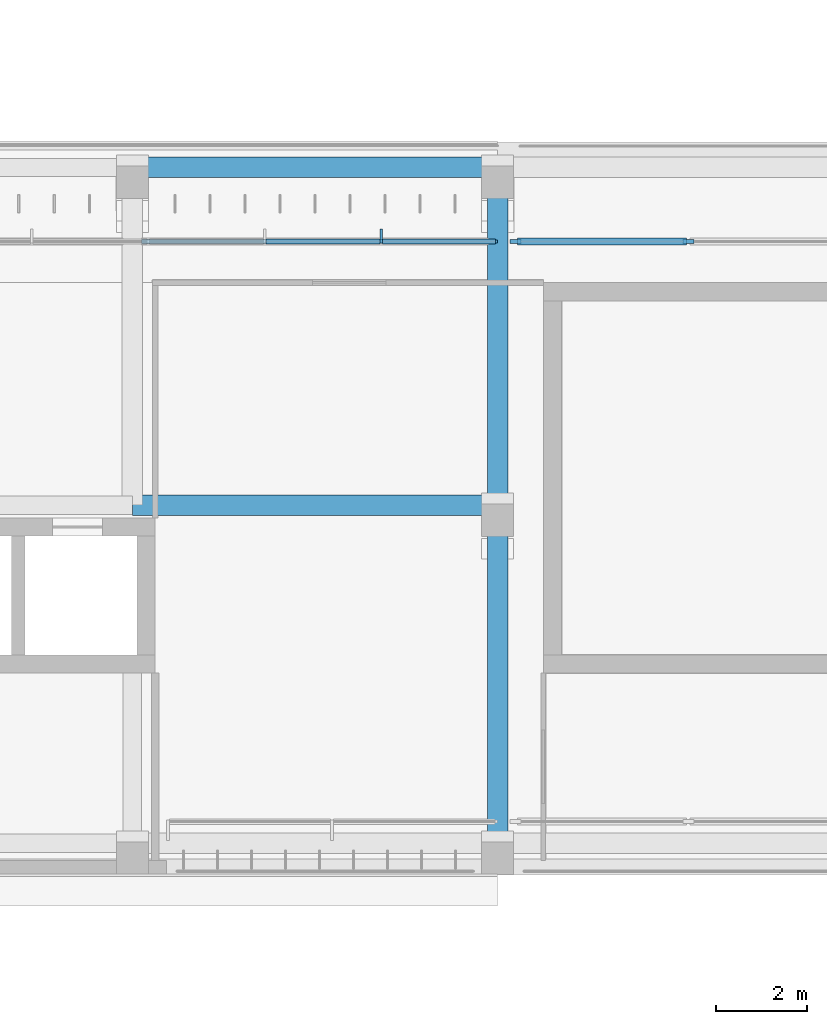
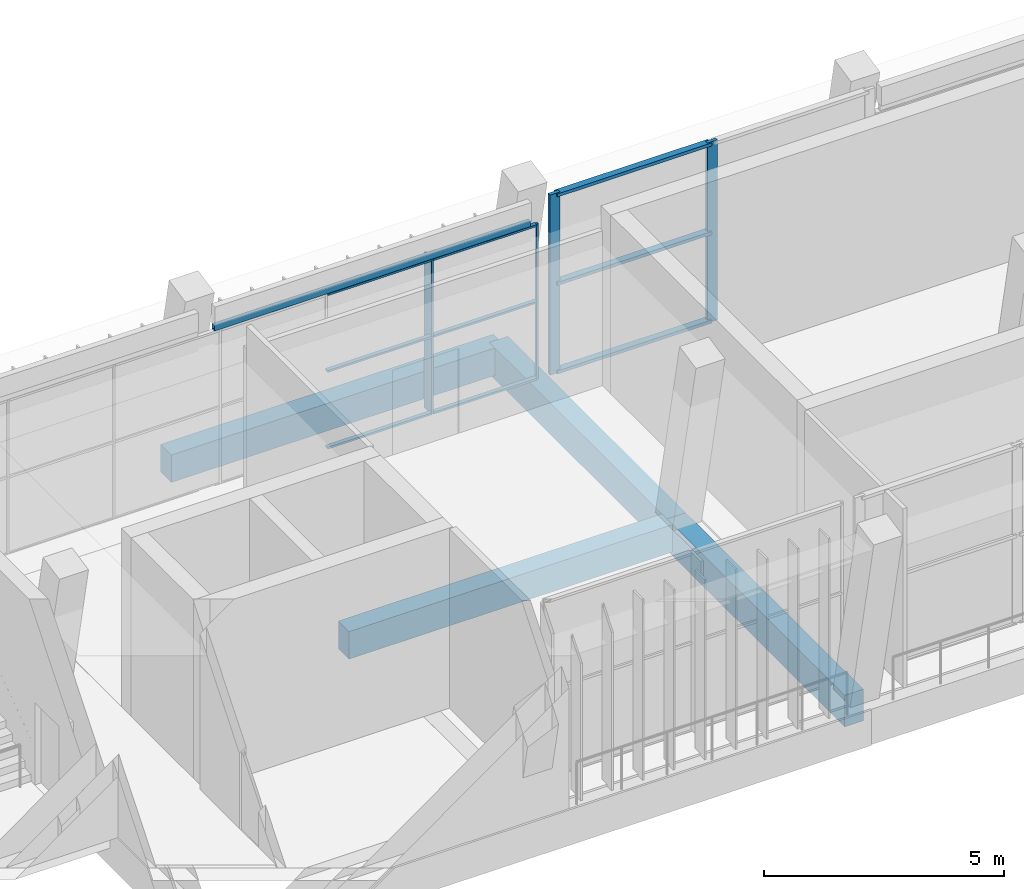
# One storey, part 8 of 74: 13 members, 5 beams, 2 elements without a shape of their own.
"""IFC4 building model written with IfcOpenShell, lengths in metres."""

from ifc_helpers import new_model, si_unit, direction, frame, origin, origin_2d, place, context, subcontext, project, spatial, rectangle, hollow_rectangle, extrude, material, material_profile, profile_set, type_object, element, aggregate, save


model = new_model("IFC4")

# Units and contexts
model_context = context("Model", 3, precision=1e-05, world=origin(), true_north=direction((0.0, 1.0)))
body_context = subcontext(model_context, "Body", "Model", "MODEL_VIEW")
ifc_project = project(units=[si_unit("LENGTHUNIT", "METRE"), si_unit("AREAUNIT", "SQUARE_METRE"), si_unit("VOLUMEUNIT", "CUBIC_METRE"), si_unit("PLANEANGLEUNIT", "RADIAN"), si_unit("MASSUNIT", "GRAM", prefix="KILO")], contexts=[model_context])

# Site, building, storey
site_placement = place(None, origin())
site = spatial("IfcSite", under=ifc_project, at=site_placement, CompositionType="ELEMENT")
building_placement = place(site_placement, origin())
building = spatial("IfcBuilding", under=site, at=building_placement, Name="Lantern Court Media Centre", CompositionType="ELEMENT")
storey_placement = place(building_placement, frame((0.0, 0.0, 19.199951171875)))
storey = spatial("IfcBuildingStorey", under=building, at=storey_placement, Name="L04", CompositionType="ELEMENT", Elevation=19.199951171875)

# Curtain wall, members
ifc_material_1 = material(Name="Curtain wall bay 2400")
curtain_wall_type_1 = type_object("IfcCurtainWallType", Name="Curtain wall bay 2400", PredefinedType="NOTDEFINED", material=ifc_material_1)
curtain_wall_1_placement = place(storey_placement, origin())
curtain_wall_1 = element("IfcCurtainWall", 1, at=curtain_wall_1_placement, inside=storey, type_object=curtain_wall_type_1, Name="Curtain wall S inner L04", PredefinedType="NOTDEFINED")
ifc_material_2 = material(Name="Anodised aluminium", Category="aluminium")
ifc_material_profile_1 = material_profile(ifc_material_2, rectangle(XDim=0.300048828125, YDim=0.050048828125, at=origin_2d()), Name="AL 50x300")
ifc_profile_set_1 = profile_set([ifc_material_profile_1], Name="Anodised aluminium")
member_type_1 = type_object("IfcMemberType", Name="Curtain wall mullion 50x300", PredefinedType="MULLION", material=ifc_profile_set_1)
member_1_placement = place(storey_placement, frame((37.449951171875, 57.969970703125, 0.0), z_axis=(0.0, 0.0, 1.0), x_axis=(0.0, 1.0, 0.0)))
member_1 = element("IfcMember", 2, at=member_1_placement, type_object=member_type_1, Name="CW2 mullion 6", PredefinedType="MULLION", context=body_context, shape_type="SweptSolid", body=[
    extrude(rectangle(XDim=0.300048828125, YDim=0.050048828125, at=origin_2d()), origin(), (0.0, 0.0, 1.0), 3.949951171875),
])
ifc_material_profile_2 = material_profile(ifc_material_2, rectangle(XDim=0.06005859375, YDim=0.050048828125, at=origin_2d()), Name="AL 50x60")
ifc_profile_set_2 = profile_set([ifc_material_profile_2], Name="Anodised aluminium")
member_type_2 = type_object("IfcMemberType", Name="Curtain wall mullion 50x60", PredefinedType="MULLION", material=ifc_profile_set_2)
member_2_placement = place(storey_placement, frame((39.97509765625, 57.85009765625, 0.0), z_axis=(0.0, 0.0, 1.0), x_axis=(0.0, 1.0, 0.0)))
member_2 = element("IfcMember", 3, at=member_2_placement, type_object=member_type_2, Name="CW2 mullion 7", PredefinedType="MULLION", context=body_context, shape_type="SweptSolid", body=[
    extrude(rectangle(XDim=0.06005859375, YDim=0.050048828125, at=origin_2d()), origin(), (0.0, 0.0, 1.0), 3.949951171875),
])

ifc_material_3 = material(Name="Curtain wall bay 4000")
curtain_wall_type_2 = type_object("IfcCurtainWallType", Name="Curtain wall bay 4000", PredefinedType="NOTDEFINED", material=ifc_material_3)
curtain_wall_2_placement = place(storey_placement, origin())
curtain_wall_2 = element("IfcCurtainWall", 4, at=curtain_wall_2_placement, inside=storey, type_object=curtain_wall_type_2, Name="Curtain wall S inner L04", PredefinedType="NOTDEFINED")
ifc_material_profile_3 = material_profile(ifc_material_2, rectangle(XDim=0.080078125, YDim=0.239990234375, at=origin_2d()), Name="AL 80x240")
ifc_profile_set_3 = profile_set([ifc_material_profile_3], Name="Anodised aluminium")
member_type_3 = type_object("IfcMemberType", Name="Curtain wall mullion 80x240", PredefinedType="MULLION", material=ifc_profile_set_3)
member_3_placement = place(storey_placement, frame((40.389892578125, 57.85009765625, 0.0), z_axis=(0.0, 0.0, 1.0), x_axis=(0.0, 1.0, 0.0)))
member_3 = element("IfcMember", 5, at=member_3_placement, type_object=member_type_3, Name="CW3 mullion 1", PredefinedType="MULLION", context=body_context, shape_type="SweptSolid", body=[
    extrude(rectangle(XDim=0.080078125, YDim=0.239990234375, at=origin_2d()), origin(), (0.0, 0.0, 1.0), 4.580078125),
])
member_4_placement = place(storey_placement, frame((44.175048828125, 57.85009765625, 0.0), z_axis=(0.0, 0.0, 1.0), x_axis=(0.0, 1.0, 0.0)))
member_4 = element("IfcMember", 6, at=member_4_placement, type_object=member_type_3, Name="CW3 mullion 2", PredefinedType="MULLION", context=body_context, shape_type="SweptSolid", body=[
    extrude(rectangle(XDim=0.080078125, YDim=0.239990234375, at=origin_2d()), origin(), (0.0, 0.0, 1.0), 4.580078125),
])

# Member
ifc_material_profile_4 = material_profile(ifc_material_2, rectangle(XDim=0.10009765625, YDim=0.050048828125, at=origin_2d()), Name="AL 50x100")
ifc_profile_set_4 = profile_set([ifc_material_profile_4], Name="Anodised aluminium")
member_type_4 = type_object("IfcMemberType", Name="Curtain wall transom 100x50", PredefinedType="USERDEFINED", material=ifc_profile_set_4)
member_5_placement = place(storey_placement, frame((34.925048828125, 57.85009765625, 0.025146484375), z_axis=(1.0, 0.0, 0.0), x_axis=(0.0, 1.0, 0.0)))
member_5 = element("IfcMember", 7, at=member_5_placement, type_object=member_type_4, Name="CW2 transom 5.1", ObjectType="TRANSOM", PredefinedType="USERDEFINED", context=body_context, shape_type="SweptSolid", body=[
    extrude(rectangle(XDim=0.10009765625, YDim=0.050048828125, at=origin_2d()), origin(), (0.0, 0.0, 1.0), 2.5),
])

member_6_placement = place(storey_placement, frame((34.925048828125, 57.85009765625, 1.97509765625), z_axis=(1.0, 0.0, 0.0), x_axis=(0.0, 1.0, 0.0)))
member_6 = element("IfcMember", 8, at=member_6_placement, type_object=member_type_4, Name="CW2 transom 5.2", ObjectType="TRANSOM", PredefinedType="USERDEFINED", context=body_context, shape_type="SweptSolid", body=[
    extrude(rectangle(XDim=0.10009765625, YDim=0.050048828125, at=origin_2d()), origin(), (0.0, 0.0, 1.0), 2.5),
])

member_7_placement = place(storey_placement, frame((34.925048828125, 57.85009765625, 3.925048828125), z_axis=(1.0, 0.0, 0.0), x_axis=(0.0, 1.0, 0.0)))
member_7 = element("IfcMember", 9, at=member_7_placement, type_object=member_type_4, Name="CW2 transom 5.3", ObjectType="TRANSOM", PredefinedType="USERDEFINED", context=body_context, shape_type="SweptSolid", body=[
    extrude(rectangle(XDim=0.10009765625, YDim=0.050048828125, at=origin_2d()), origin(), (0.0, 0.0, 1.0), 2.5),
])

member_8_placement = place(storey_placement, frame((37.47509765625, 57.85009765625, 0.025146484375), z_axis=(1.0, 0.0, 0.0), x_axis=(0.0, 1.0, 0.0)))
member_8 = element("IfcMember", 10, at=member_8_placement, type_object=member_type_4, Name="CW2 transom 6.1", ObjectType="TRANSOM", PredefinedType="USERDEFINED", context=body_context, shape_type="SweptSolid", body=[
    extrude(rectangle(XDim=0.10009765625, YDim=0.050048828125, at=origin_2d()), origin(), (0.0, 0.0, 1.0), 2.474853515625),
])

member_9_placement = place(storey_placement, frame((37.47509765625, 57.85009765625, 1.97509765625), z_axis=(1.0, 0.0, 0.0), x_axis=(0.0, 1.0, 0.0)))
member_9 = element("IfcMember", 11, at=member_9_placement, type_object=member_type_4, Name="CW2 transom 6.2", ObjectType="TRANSOM", PredefinedType="USERDEFINED", context=body_context, shape_type="SweptSolid", body=[
    extrude(rectangle(XDim=0.10009765625, YDim=0.050048828125, at=origin_2d()), origin(), (0.0, 0.0, 1.0), 2.474853515625),
])

member_10_placement = place(storey_placement, frame((37.47509765625, 57.85009765625, 3.925048828125), z_axis=(1.0, 0.0, 0.0), x_axis=(0.0, 1.0, 0.0)))
member_10 = element("IfcMember", 12, at=member_10_placement, type_object=member_type_4, Name="CW2 transom 6.3", ObjectType="TRANSOM", PredefinedType="USERDEFINED", context=body_context, shape_type="SweptSolid", body=[
    extrude(rectangle(XDim=0.10009765625, YDim=0.050048828125, at=origin_2d()), origin(), (0.0, 0.0, 1.0), 2.474853515625),
])

aggregate(curtain_wall_1, [member_1, member_2, member_5, member_6, member_7, member_8, member_9, member_10])

ifc_material_profile_5 = material_profile(ifc_material_2, rectangle(XDim=0.159912109375, YDim=0.080078125, at=origin_2d()), Name="AL 80x160")
ifc_profile_set_5 = profile_set([ifc_material_profile_5], Name="Anodised aluminium")
member_type_5 = type_object("IfcMemberType", Name="Curtain wall transom 160x80", PredefinedType="USERDEFINED", material=ifc_profile_set_5)
member_11_placement = place(storey_placement, frame((40.429931640625, 57.85009765625, 0.0400390625), z_axis=(1.0, 0.0, 0.0), x_axis=(0.0, 1.0, 0.0)))
member_11 = element("IfcMember", 13, at=member_11_placement, type_object=member_type_5, Name="CW3 transom 1.1", ObjectType="TRANSOM", PredefinedType="USERDEFINED", context=body_context, shape_type="SweptSolid", body=[
    extrude(rectangle(XDim=0.159912109375, YDim=0.080078125, at=origin_2d()), origin(), (0.0, 0.0, 1.0), 3.705078125),
])

member_12_placement = place(storey_placement, frame((40.429931640625, 57.85009765625, 2.2900390625), z_axis=(1.0, 0.0, 0.0), x_axis=(0.0, 1.0, 0.0)))
member_12 = element("IfcMember", 14, at=member_12_placement, type_object=member_type_5, Name="CW3 transom 1.2", ObjectType="TRANSOM", PredefinedType="USERDEFINED", context=body_context, shape_type="SweptSolid", body=[
    extrude(rectangle(XDim=0.159912109375, YDim=0.080078125, at=origin_2d()), origin(), (0.0, 0.0, 1.0), 3.705078125),
])

member_13_placement = place(storey_placement, frame((40.429931640625, 57.85009765625, 4.5400390625), z_axis=(1.0, 0.0, 0.0), x_axis=(0.0, 1.0, 0.0)))
member_13 = element("IfcMember", 15, at=member_13_placement, type_object=member_type_5, Name="CW3 transom 1.3", ObjectType="TRANSOM", PredefinedType="USERDEFINED", context=body_context, shape_type="SweptSolid", body=[
    extrude(rectangle(XDim=0.159912109375, YDim=0.080078125, at=origin_2d()), origin(), (0.0, 0.0, 1.0), 3.705078125),
])

aggregate(curtain_wall_2, [member_3, member_4, member_11, member_12, member_13])

# Beams
ifc_material_4 = material(Name="Steel S355J2 (EN 10025-2)", Category="steel")
ifc_material_profile_6 = material_profile(ifc_material_4, hollow_rectangle(XDim=0.10009765625, YDim=0.14990234375, WallThickness=0.00634765625, InnerFilletRadius=0.00634765625, OuterFilletRadius=0.009521484375, at=origin_2d()), Name="Facade head lintel RHS 150x100x6.3")
ifc_profile_set_6 = profile_set([ifc_material_profile_6], Name="Steel S355J2 (EN 10025-2)")
beam_type_1 = type_object("IfcBeamType", Name="Facade head lintel RHS 150x100x6.3", PredefinedType="BEAM", material=ifc_profile_set_6)
beam_1_placement = place(storey_placement, frame((32.199951171875, 57.85009765625, 4.025146484375), z_axis=(1.0, 0.0, 0.0), x_axis=(0.0, 1.0, 0.0)))
element("IfcBeam", 16, at=beam_1_placement, inside=storey, type_object=beam_type_1, Name="Facade head lintel S L04", PredefinedType="BEAM", context=body_context, shape_type="SweptSolid", body=[
    extrude(hollow_rectangle(XDim=0.10009765625, YDim=0.14990234375, WallThickness=0.00634765625, InnerFilletRadius=0.00634765625, OuterFilletRadius=0.009521484375, at=origin_2d()), origin(), (0.0, 0.0, 1.0), 7.60009765625),
])
ifc_material_5 = material(Name="Concrete C35", Category="concrete")
ifc_material_profile_7 = material_profile(ifc_material_5, rectangle(XDim=0.449951171875, YDim=0.699951171875, at=origin_2d()), Name="RC 450x700")
ifc_profile_set_7 = profile_set([ifc_material_profile_7], Name="Concrete C35")
beam_type_2 = type_object("IfcBeamType", Name="RC BEAM 450x700", PredefinedType="BEAM", material=ifc_profile_set_7)
for number, where, z_axis, x_axis, name in (
    (17, (32.0, 52.072998046875, -0.349853515625), (1.0, 0.0, 0.0), (0.0, 1.0, 0.0), "LB-S-L04-1-1"),
    (18, (32.0, 59.472900390625, -0.349853515625), (1.0, 0.0, 0.0), (0.0, 1.0, 0.0), "LB-S-L04-2-1"),
):
    element("IfcBeam", number, at=place(storey_placement, frame(where, z_axis=z_axis, x_axis=x_axis)), inside=storey, type_object=beam_type_2, Name=name, PredefinedType="BEAM", context=body_context, shape_type="SweptSolid", body=[
        extrude(rectangle(XDim=0.449951171875, YDim=0.699951171875, at=origin_2d()), origin(), (0.0, 0.0, 1.0), 8.0),
    ])
ifc_material_profile_8 = material_profile(ifc_material_5, rectangle(XDim=0.449951171875, YDim=0.800048828125, at=origin_2d()), Name="RC 450x800")
ifc_profile_set_8 = profile_set([ifc_material_profile_8], Name="Concrete C35")
beam_type_3 = type_object("IfcBeamType", Name="RC BEAM 450x800", PredefinedType="BEAM", material=ifc_profile_set_8)
beam_2_placement = place(storey_placement, frame((40.0, 44.683349609375, -0.39990234375), z_axis=(0.0, 1.0, 0.0), x_axis=(-1.0, 0.0, 0.0)))
element("IfcBeam", 19, at=beam_2_placement, inside=storey, type_object=beam_type_3, Name="TB-S-L04-2-1", PredefinedType="BEAM", context=body_context, shape_type="SweptSolid", body=[
    extrude(rectangle(XDim=0.449951171875, YDim=0.800048828125, at=origin_2d()), origin(), (0.0, 0.0, 1.0), 7.39990234375),
])
beam_3_placement = place(storey_placement, frame((40.0, 52.083251953125, -0.39990234375), z_axis=(0.0, 1.0, 0.0), x_axis=(-1.0, 0.0, 0.0)))
element("IfcBeam", 20, at=beam_3_placement, inside=storey, type_object=beam_type_3, Name="TB-S-L04-2-2", PredefinedType="BEAM", context=body_context, shape_type="SweptSolid", body=[
    extrude(rectangle(XDim=0.449951171875, YDim=0.800048828125, at=origin_2d()), origin(), (0.0, 0.0, 1.0), 7.400146484375),
])

save(model, "model.ifc")
